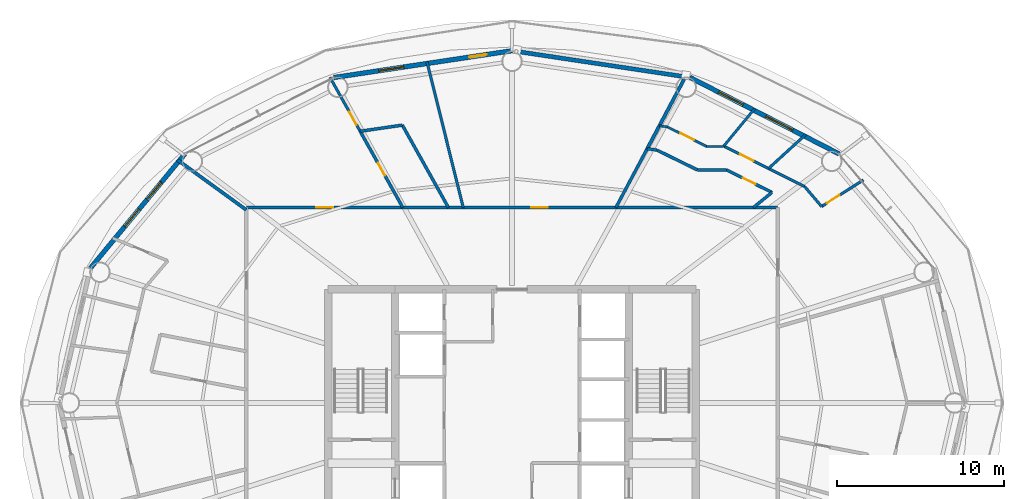
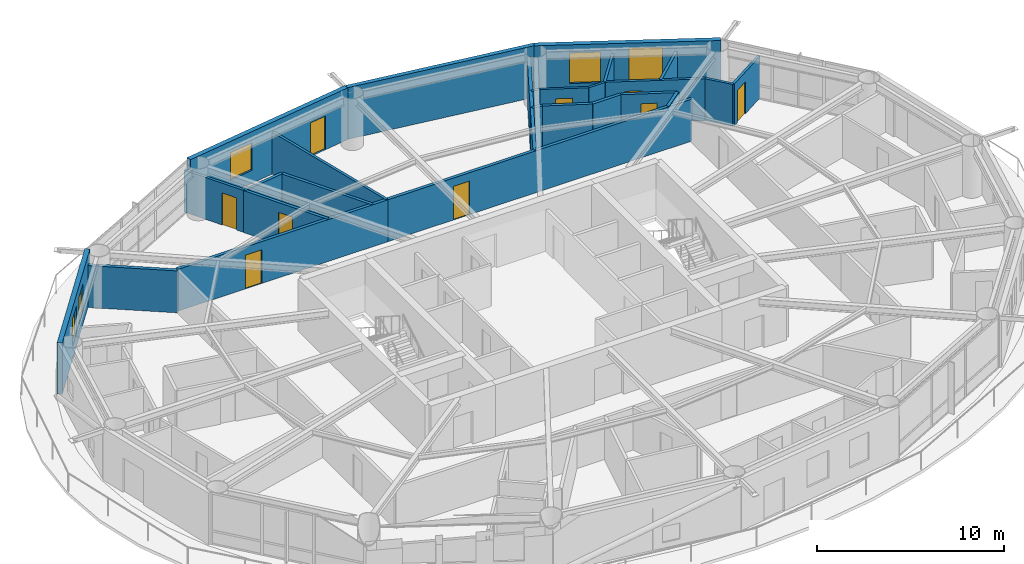
# One storey, part 24 of 28: 27 walls, 9 doors, 5 windows, 14 openings.
"""IFC4 building model written with IfcOpenShell, lengths in metres."""

from ifc_helpers import new_model, si_unit, direction, frame, frame_2d, origin, place, context, subcontext, project, spatial, rectangle, extrude, material, layer, layer_set, type_object, element, fill, save


model = new_model("IFC4")

# Units and contexts
model_context = context("Model", 3, precision=1e-05, world=origin(), true_north=direction((0.0, 1.0)))
body_context = subcontext(model_context, "Body", "Model", "MODEL_VIEW")
ifc_project = project(units=[si_unit("LENGTHUNIT", "METRE"), si_unit("AREAUNIT", "SQUARE_METRE"), si_unit("VOLUMEUNIT", "CUBIC_METRE"), si_unit("PLANEANGLEUNIT", "RADIAN"), si_unit("MASSUNIT", "GRAM", prefix="KILO")], contexts=[model_context])

# Site, building, storey
site_placement = place(None, origin())
site = spatial("IfcSite", under=ifc_project, at=site_placement, CompositionType="ELEMENT")
building_placement = place(site_placement, origin())
building = spatial("IfcBuilding", under=site, at=building_placement, Name="Sarneth Arch Tower", CompositionType="ELEMENT")
storey_placement = place(building_placement, frame((0.0, 0.0, 183.0)))
storey = spatial("IfcBuildingStorey", under=building, at=storey_placement, Name="L46", CompositionType="ELEMENT", Elevation=183.0)

# Wall, opening, door
ifc_material_1 = material(Name="Double steel-stud corridor fire wall", Category="steel")
ifc_layer_1 = layer(ifc_material_1, 0.18994140625)
ifc_layer_set_1 = layer_set([ifc_layer_1], Name="Double steel-stud corridor fire wall")
wall_type_1 = type_object("IfcWallType", Name="WALL-CORR-190", PredefinedType="PARTITIONING", material=ifc_layer_set_1)
wall_1_placement = place(storey_placement, frame((32.10009765625, 53.699951171875, 0.0), z_axis=(0.0, 0.0, 1.0), x_axis=(1.0, 0.0, 0.0)))
wall_1 = element("IfcWall", 1, at=wall_1_placement, inside=storey, type_object=wall_type_1, Name="L46 Interior partition W-L46-TP-006", PredefinedType="PARTITIONING", context=body_context, shape_type="SweptSolid", body=[
    extrude(rectangle(XDim=13.015869140625, YDim=0.18994140625, at=frame_2d((6.5078125, 0.0))), origin(), (0.0, 0.0, 1.0), 2.739990234375),
])
opening_1_placement = place(wall_1_placement, frame((4.198974609375, 0.0, 0.0)))
opening_1 = element("IfcOpeningElement", 2, at=opening_1_placement, cuts=wall_1, Name="Opening FD-08", PredefinedType="OPENING", context=body_context, shape_type="SweptSolid", body=[
    extrude(rectangle(XDim=1.0, YDim=2.199951171875, at=frame_2d((0.5, 1.10009765625))), frame((0.0, 0.10498046875, 0.0), z_axis=(0.0, -1.0, 0.0), x_axis=(1.0, 0.0, 0.0)), (0.0, 0.0, 1.0), 0.2099609375),
])
ifc_material_2 = material(Name="Hardwood timber acoustic fire door", Category="wood")
door_type_1 = type_object("IfcDoorType", Name="DR-FD60-1000", OperationType="SINGLE_SWING_LEFT", PredefinedType="DOOR", material=ifc_material_2)
door_1_placement = place(opening_1_placement, origin())
door_1 = element("IfcDoor", 3, at=door_1_placement, inside=storey, type_object=door_type_1, Name="L46 Interior door DR-L46-U3-ENT", OperationType="SINGLE_SWING_LEFT", OverallHeight=2.199951171875, OverallWidth=1.0, PredefinedType="DOOR", context=body_context, shape_type="SweptSolid", body=[
    extrude(rectangle(XDim=1.0, YDim=2.199951171875, at=frame_2d((0.5, 1.10009765625))), frame((0.0, 0.02490234375, 0.0), z_axis=(0.0, -1.0, 0.0), x_axis=(1.0, 0.0, 0.0)), (0.0, 0.0, 1.0), 0.050048828125),
])
fill(opening_1, door_1)

wall_2_placement = place(storey_placement, frame((45.0498046875, 53.699951171875, 0.0), z_axis=(0.0, 0.0, 1.0), x_axis=(1.0, 0.0, 0.0)))
wall_2 = element("IfcWall", 4, at=wall_2_placement, inside=storey, type_object=wall_type_1, Name="L46 Interior partition W-L46-TP-004", PredefinedType="PARTITIONING", context=body_context, shape_type="SweptSolid", body=[
    extrude(rectangle(XDim=18.85009765625, YDim=0.18994140625, at=frame_2d((9.425048828125, 0.0))), origin(), (0.0, 0.0, 1.0), 2.739990234375),
])
opening_2_placement = place(wall_2_placement, frame((4.103515625, 0.0, 0.0)))
opening_2 = element("IfcOpeningElement", 5, at=opening_2_placement, cuts=wall_2, Name="Opening FD-08", PredefinedType="OPENING", context=body_context, shape_type="SweptSolid", body=[
    extrude(rectangle(XDim=1.0, YDim=2.199951171875, at=frame_2d((0.5, 1.10009765625))), frame((0.0, 0.10498046875, 0.0), z_axis=(0.0, -1.0, 0.0), x_axis=(1.0, 0.0, 0.0)), (0.0, 0.0, 1.0), 0.2099609375),
])
door_2_placement = place(opening_2_placement, origin())
door_2 = element("IfcDoor", 6, at=door_2_placement, inside=storey, type_object=door_type_1, Name="L46 Interior door DR-L46-RAMN-02", OperationType="SINGLE_SWING_RIGHT", OverallHeight=2.199951171875, OverallWidth=1.0, PredefinedType="DOOR", context=body_context, shape_type="SweptSolid", body=[
    extrude(rectangle(XDim=1.0, YDim=2.199951171875, at=frame_2d((0.5, 1.10009765625))), frame((0.0, 0.02490234375, 0.0), z_axis=(0.0, -1.0, 0.0), x_axis=(1.0, 0.0, 0.0)), (0.0, 0.0, 1.0), 0.050048828125),
])
fill(opening_2, door_2)

# Wall
ifc_material_3 = material(Name="Extruded terracotta rainscreen on Concrete C40/50 backing", Category="masonry")
ifc_layer_2 = layer(ifc_material_3, 0.25)
ifc_layer_set_2 = layer_set([ifc_layer_2], Name="Extruded terracotta rainscreen on Concrete C40/50 backing")
wall_type_2 = type_object("IfcWallType", Name="WALL-EXT-SPAND-250", PredefinedType="SOLIDWALL", material=ifc_layer_set_2)
wall_3_placement = place(storey_placement, frame((58.662841796875, 61.475341796875, 0.0), z_axis=(0.0, 0.0, 1.0), x_axis=(-0.988863993413, 0.148822049884, 0.0)))
element("IfcWall", 7, at=wall_3_placement, inside=storey, type_object=wall_type_2, Name="L46 Terracotta perimeter wall 04", PredefinedType="SOLIDWALL", context=body_context, shape_type="SweptSolid", body=[
    extrude(rectangle(XDim=10.782958984375, YDim=0.25, at=frame_2d((5.3916015625, 0.0))), origin(), (0.0, 0.0, 1.0), 3.3798828125),
])

# Wall, openings, windows
ifc_material_4 = material(Name="Extruded terracotta rainscreen on Concrete C40/50 backing", Category="masonry")
ifc_layer_3 = layer(ifc_material_4, 0.280029296875)
ifc_layer_set_3 = layer_set([ifc_layer_3], Name="Extruded terracotta rainscreen on Concrete C40/50 backing")
wall_type_3 = type_object("IfcWallType", Name="WALL-EXT-TERRA-280", PredefinedType="SOLIDWALL", material=ifc_layer_set_3)
wall_4_placement = place(storey_placement, frame((67.576171875, 56.90576171875, 0.0), z_axis=(0.0, 0.0, 1.0), x_axis=(-0.889872523182, 0.456209263919, 0.0)))
wall_4 = element("IfcWall", 8, at=wall_4_placement, inside=storey, type_object=wall_type_3, Name="L46 Terracotta perimeter wall 03", PredefinedType="SOLIDWALL", context=body_context, shape_type="SweptSolid", body=[
    extrude(rectangle(XDim=10.016357421875, YDim=0.280029296875, at=frame_2d((5.00830078125, 0.0))), origin(), (0.0, 0.0, 1.0), 3.3798828125),
])
opening_3_placement = place(wall_4_placement, frame((3.12109375, 0.0, 0.85009765625)))
opening_3 = element("IfcOpeningElement", 9, at=opening_3_placement, cuts=wall_4, Name="Opening W-04", PredefinedType="OPENING", context=body_context, shape_type="SweptSolid", body=[
    extrude(rectangle(XDim=1.800048828125, YDim=2.199951171875, at=frame_2d((0.89990234375, 1.10009765625))), frame((0.0, 0.14990234375, 0.0), z_axis=(0.0, -1.0, 0.0), x_axis=(1.0, 0.0, 0.0)), (0.0, 0.0, 1.0), 0.300048828125),
])
opening_4_placement = place(wall_4_placement, frame((6.448486328125, 0.0, 0.85009765625)))
opening_4 = element("IfcOpeningElement", 10, at=opening_4_placement, cuts=wall_4, Name="Opening W-05", PredefinedType="OPENING", context=body_context, shape_type="SweptSolid", body=[
    extrude(rectangle(XDim=1.64990234375, YDim=2.0, at=frame_2d((0.824951171875, 1.0))), frame((0.0, 0.14990234375, 0.0), z_axis=(0.0, -1.0, 0.0), x_axis=(1.0, 0.0, 0.0)), (0.0, 0.0, 1.0), 0.300048828125),
])
ifc_material_5 = material(Name="Thermally broken Aluminium 6063-T6 and low-e laminated IGU", Category="aluminium")
window_type_1 = type_object("IfcWindowType", Name="WIN-TWR-1650x2000", PartitioningType="DOUBLE_PANEL_VERTICAL", PredefinedType="WINDOW", material=ifc_material_5)
window_1_placement = place(opening_4_placement, origin())
window_1 = element("IfcWindow", 11, at=window_1_placement, inside=storey, type_object=window_type_1, Name="L46 Exterior window 03B", OverallHeight=2.0, OverallWidth=1.64990234375, PartitioningType="SINGLE_PANEL", PredefinedType="WINDOW", context=body_context, shape_type="SweptSolid", body=[
    extrude(rectangle(XDim=1.64990234375, YDim=2.0, at=frame_2d((0.824951171875, 1.0))), frame((0.0, 0.030029296875, 0.0), z_axis=(0.0, -1.0, 0.0), x_axis=(1.0, 0.0, 0.0)), (0.0, 0.0, 1.0), 0.06005859375),
])
fill(opening_4, window_1)
ifc_material_6 = material(Name="Thermally broken Aluminium 6063-T6 and low-e laminated IGU", Category="aluminium")
window_type_2 = type_object("IfcWindowType", Name="WIN-TWR-1800x2200", PartitioningType="DOUBLE_PANEL_VERTICAL", PredefinedType="WINDOW", material=ifc_material_6)
window_2_placement = place(opening_3_placement, origin())
window_2 = element("IfcWindow", 12, at=window_2_placement, inside=storey, type_object=window_type_2, Name="L46 Exterior window 03A", OverallHeight=2.199951171875, OverallWidth=1.800048828125, PartitioningType="SINGLE_PANEL", PredefinedType="WINDOW", context=body_context, shape_type="SweptSolid", body=[
    extrude(rectangle(XDim=1.800048828125, YDim=2.199951171875, at=frame_2d((0.89990234375, 1.10009765625))), frame((0.0, 0.030029296875, 0.0), z_axis=(0.0, -1.0, 0.0), x_axis=(1.0, 0.0, 0.0)), (0.0, 0.0, 1.0), 0.06005859375),
])
fill(opening_3, window_2)

# Wall, openings, door, window
wall_5_placement = place(storey_placement, frame((48.0, 63.080078125, 0.0), z_axis=(0.0, 0.0, 1.0), x_axis=(-0.988863993413, -0.148822049884, 0.0)))
wall_5 = element("IfcWall", 13, at=wall_5_placement, inside=storey, type_object=wall_type_3, Name="L46 Terracotta perimeter wall 05", PredefinedType="SOLIDWALL", context=body_context, shape_type="SweptSolid", body=[
    extrude(rectangle(XDim=10.782958984375, YDim=0.280029296875, at=frame_2d((5.3916015625, 0.0))), origin(), (0.0, 0.0, 1.0), 3.3798828125),
])
opening_5_placement = place(wall_5_placement, frame((1.523681640625, 0.0, 0.0)))
opening_5 = element("IfcOpeningElement", 14, at=opening_5_placement, cuts=wall_5, Name="Opening BD-4", PredefinedType="OPENING", context=body_context, shape_type="SweptSolid", body=[
    extrude(rectangle(XDim=1.050048828125, YDim=2.199951171875, at=frame_2d((0.52490234375, 1.10009765625))), frame((0.0, 0.14990234375, 0.0), z_axis=(0.0, -1.0, 0.0), x_axis=(1.0, 0.0, 0.0)), (0.0, 0.0, 1.0), 0.300048828125),
])
opening_6_placement = place(wall_5_placement, frame((6.5576171875, 0.0, 0.85009765625)))
opening_6 = element("IfcOpeningElement", 15, at=opening_6_placement, cuts=wall_5, Name="Opening W-07", PredefinedType="OPENING", context=body_context, shape_type="SweptSolid", body=[
    extrude(rectangle(XDim=1.5, YDim=1.800048828125, at=frame_2d((0.75, 0.89990234375))), frame((0.0, 0.14990234375, 0.0), z_axis=(0.0, -1.0, 0.0), x_axis=(1.0, 0.0, 0.0)), (0.0, 0.0, 1.0), 0.300048828125),
])
ifc_material_7 = material(Name="Thermally broken Aluminium 6063-T6 and laminated safety glass", Category="aluminium")
door_type_2 = type_object("IfcDoorType", Name="DR-BALC-GLZ-1050", OperationType="SINGLE_SWING_RIGHT", PredefinedType="DOOR", material=ifc_material_7)
door_3_placement = place(opening_5_placement, origin())
door_3 = element("IfcDoor", 16, at=door_3_placement, inside=storey, type_object=door_type_2, Name="L46 Balcony glazed door 05", OperationType="SINGLE_SWING_RIGHT", OverallHeight=2.199951171875, OverallWidth=1.050048828125, PredefinedType="DOOR", context=body_context, shape_type="SweptSolid", body=[
    extrude(rectangle(XDim=1.050048828125, YDim=2.199951171875, at=frame_2d((0.52490234375, 1.10009765625))), frame((0.0, 0.02490234375, 0.0), z_axis=(0.0, -1.0, 0.0), x_axis=(1.0, 0.0, 0.0)), (0.0, 0.0, 1.0), 0.050048828125),
])
fill(opening_5, door_3)
ifc_material_8 = material(Name="Thermally broken Aluminium 6063-T6 and low-e laminated IGU", Category="aluminium")
window_type_3 = type_object("IfcWindowType", Name="WIN-TWR-1500x1800", PartitioningType="SINGLE_PANEL", PredefinedType="WINDOW", material=ifc_material_8)
window_3_placement = place(opening_6_placement, origin())
window_3 = element("IfcWindow", 17, at=window_3_placement, inside=storey, type_object=window_type_3, Name="L46 Exterior window 05A", OverallHeight=1.800048828125, OverallWidth=1.5, PartitioningType="SINGLE_PANEL", PredefinedType="WINDOW", context=body_context, shape_type="SweptSolid", body=[
    extrude(rectangle(XDim=1.5, YDim=1.800048828125, at=frame_2d((0.75, 0.89990234375))), frame((0.0, 0.030029296875, 0.0), z_axis=(0.0, -1.0, 0.0), x_axis=(1.0, 0.0, 0.0)), (0.0, 0.0, 1.0), 0.06005859375),
])
fill(opening_6, window_3)

# Wall, openings, windows
wall_6_placement = place(storey_placement, frame((28.423828125, 56.90576171875, 0.0), z_axis=(0.0, 0.0, 1.0), x_axis=(-0.637333477683, -0.770588111915, 0.0)))
wall_6 = element("IfcWall", 18, at=wall_6_placement, inside=storey, type_object=wall_type_3, Name="L46 Terracotta perimeter wall 07", PredefinedType="SOLIDWALL", context=body_context, shape_type="SweptSolid", body=[
    extrude(rectangle(XDim=8.874755859375, YDim=0.280029296875, at=frame_2d((4.4375, 0.0))), origin(), (0.0, 0.0, 1.0), 3.3798828125),
])
opening_7_placement = place(wall_6_placement, frame((2.202392578125, 0.0, 0.85009765625)))
opening_7 = element("IfcOpeningElement", 19, at=opening_7_placement, cuts=wall_6, Name="Opening W-08", PredefinedType="OPENING", context=body_context, shape_type="SweptSolid", body=[
    extrude(rectangle(XDim=1.35009765625, YDim=1.800048828125, at=frame_2d((0.675048828125, 0.89990234375))), frame((0.0, 0.14990234375, 0.0), z_axis=(0.0, -1.0, 0.0), x_axis=(1.0, 0.0, 0.0)), (0.0, 0.0, 1.0), 0.300048828125),
])
opening_8_placement = place(wall_6_placement, frame((4.293701171875, 0.0, 0.85009765625)))
opening_8 = element("IfcOpeningElement", 20, at=opening_8_placement, cuts=wall_6, Name="Opening W-08", PredefinedType="OPENING", context=body_context, shape_type="SweptSolid", body=[
    extrude(rectangle(XDim=1.35009765625, YDim=1.800048828125, at=frame_2d((0.675048828125, 0.89990234375))), frame((0.0, 0.14990234375, 0.0), z_axis=(0.0, -1.0, 0.0), x_axis=(1.0, 0.0, 0.0)), (0.0, 0.0, 1.0), 0.300048828125),
])
ifc_material_9 = material(Name="Thermally broken Aluminium 6063-T6 and low-e laminated IGU", Category="aluminium")
window_type_4 = type_object("IfcWindowType", Name="WIN-TWR-1350x1800", PartitioningType="SINGLE_PANEL", PredefinedType="WINDOW", material=ifc_material_9)
window_4_placement = place(opening_7_placement, origin())
window_4 = element("IfcWindow", 21, at=window_4_placement, inside=storey, type_object=window_type_4, Name="L46 Exterior window 07A", OverallHeight=1.800048828125, OverallWidth=1.35009765625, PartitioningType="SINGLE_PANEL", PredefinedType="WINDOW", context=body_context, shape_type="SweptSolid", body=[
    extrude(rectangle(XDim=1.35009765625, YDim=1.800048828125, at=frame_2d((0.675048828125, 0.89990234375))), frame((0.0, 0.030029296875, 0.0), z_axis=(0.0, -1.0, 0.0), x_axis=(1.0, 0.0, 0.0)), (0.0, 0.0, 1.0), 0.06005859375),
])
fill(opening_7, window_4)
window_5_placement = place(opening_8_placement, origin())
window_5 = element("IfcWindow", 22, at=window_5_placement, inside=storey, type_object=window_type_4, Name="L46 Exterior window 07B", OverallHeight=1.800048828125, OverallWidth=1.35009765625, PartitioningType="SINGLE_PANEL", PredefinedType="WINDOW", context=body_context, shape_type="SweptSolid", body=[
    extrude(rectangle(XDim=1.35009765625, YDim=1.800048828125, at=frame_2d((0.675048828125, 0.89990234375))), frame((0.0, 0.030029296875, 0.0), z_axis=(0.0, -1.0, 0.0), x_axis=(1.0, 0.0, 0.0)), (0.0, 0.0, 1.0), 0.06005859375),
])
fill(opening_8, window_5)

# Wall, opening, door
ifc_material_10 = material(Name="Apartment internal stud partition", Category="gypsum")
ifc_layer_4 = layer(ifc_material_10, 0.139892578125)
ifc_layer_set_4 = layer_set([ifc_layer_4], Name="Apartment internal stud partition")
wall_type_4 = type_object("IfcWallType", Name="WALL-PART-140", PredefinedType="PARTITIONING", material=ifc_layer_set_4)
wall_7_placement = place(storey_placement, frame((59.651123046875, 57.35009765625, 0.0), z_axis=(0.0, 0.0, 1.0), x_axis=(-0.895041110332, 0.445983644112, 0.0)))
wall_7 = element("IfcWall", 23, at=wall_7_placement, inside=storey, type_object=wall_type_4, Name="L46 Interior partition W-L46-TP-032", PredefinedType="PARTITIONING", context=body_context, shape_type="SweptSolid", body=[
    extrude(rectangle(XDim=2.62109375, YDim=0.139892578125, at=frame_2d((1.310546875, 0.0))), origin(), (0.0, 0.0, 1.0), 2.739990234375),
])
opening_9_placement = place(wall_7_placement, frame((0.860595703125, 0.0, 0.0)))
opening_9 = element("IfcOpeningElement", 24, at=opening_9_placement, cuts=wall_7, Name="Opening ID-01", PredefinedType="OPENING", context=body_context, shape_type="SweptSolid", body=[
    extrude(rectangle(XDim=0.89990234375, YDim=2.10009765625, at=frame_2d((0.449951171875, 1.050048828125))), frame((0.0, 0.079833984375, 0.0), z_axis=(0.0, -1.0, 0.0), x_axis=(1.0, 0.0, 0.0)), (0.0, 0.0, 1.0), 0.159912109375),
])
ifc_material_11 = material(Name="Engineered hardwood flush door", Category="wood")
door_type_3 = type_object("IfcDoorType", Name="DR-INT-900", OperationType="SINGLE_SWING_LEFT", PredefinedType="DOOR", material=ifc_material_11)
door_4_placement = place(opening_9_placement, origin())
door_4 = element("IfcDoor", 25, at=door_4_placement, inside=storey, type_object=door_type_3, Name="L46 Interior door DR-L46-U1-BED2", OperationType="SINGLE_SWING_LEFT", OverallHeight=2.10009765625, OverallWidth=0.89990234375, PredefinedType="DOOR", context=body_context, shape_type="SweptSolid", body=[
    extrude(rectangle(XDim=0.89990234375, YDim=2.10009765625, at=frame_2d((0.449951171875, 1.050048828125))), frame((0.0, 0.02490234375, 0.0), z_axis=(0.0, -1.0, 0.0), x_axis=(1.0, 0.0, 0.0)), (0.0, 0.0, 1.0), 0.050048828125),
])
fill(opening_9, door_4)

# Walls
wall_8_placement = place(storey_placement, frame((60.653564453125, 57.35009765625, 0.0), z_axis=(0.0, 0.0, 1.0), x_axis=(-1.0, 0.0, 0.0)))
element("IfcWall", 26, at=wall_8_placement, inside=storey, type_object=wall_type_4, Name="L46 Interior partition W-L46-TP-031", PredefinedType="PARTITIONING", context=body_context, shape_type="SweptSolid", body=[
    extrude(rectangle(XDim=1.00244140625, YDim=0.139892578125, at=frame_2d((0.501220703125, 0.0))), origin(), (0.0, 0.0, 1.0), 2.739990234375),
])
wall_9_placement = place(storey_placement, frame((57.30517578125, 58.51904296875, 0.0), z_axis=(0.0, 0.0, 1.0), x_axis=(-0.989485449351, 0.144632449754, 0.0)))
element("IfcWall", 27, at=wall_9_placement, inside=storey, type_object=wall_type_4, Name="L46 Interior partition W-L46-TP-033", PredefinedType="PARTITIONING", context=body_context, shape_type="SweptSolid", body=[
    extrude(rectangle(XDim=0.489501953125, YDim=0.139892578125, at=frame_2d((0.24462890625, 0.0))), origin(), (0.0, 0.0, 1.0), 2.739990234375),
])
ifc_material_12 = material(Name="Acoustic gypsum stud partition", Category="gypsum")
ifc_layer_5 = layer(ifc_material_12, 0.14990234375)
ifc_layer_set_5 = layer_set([ifc_layer_5], Name="Acoustic gypsum stud partition")
wall_type_5 = type_object("IfcWallType", Name="WALL-PART-150", PredefinedType="PARTITIONING", material=ifc_layer_set_5)
wall_10_placement = place(storey_placement, frame((62.52880859375, 59.625, 0.0), z_axis=(0.0, 0.0, 1.0), x_axis=(-0.63607001361, -0.771631348369, 0.0)))
element("IfcWall", 28, at=wall_10_placement, inside=storey, type_object=wall_type_5, Name="L46 Interior partition W-L46-TP-039", PredefinedType="PARTITIONING", context=body_context, shape_type="SweptSolid", body=[
    extrude(rectangle(XDim=2.9482421875, YDim=0.14990234375, at=frame_2d((1.47412109375, 0.0))), origin(), (0.0, 0.0, 1.0), 2.739990234375),
])
ifc_material_13 = material(Name="Kitchen wet service chase wall", Category="gypsum")
ifc_layer_6 = layer(ifc_material_13, 0.159912109375)
ifc_layer_set_6 = layer_set([ifc_layer_6], Name="Kitchen wet service chase wall")
wall_type_6 = type_object("IfcWallType", Name="WALL-PLUMB-160", PredefinedType="PLUMBINGWALL", material=ifc_layer_set_6)
wall_11_placement = place(storey_placement, frame((45.0830078125, 53.699951171875, 0.0), z_axis=(0.0, 0.0, 1.0), x_axis=(-0.241929318505, 0.970293875508, 0.0)))
element("IfcWall", 29, at=wall_11_placement, inside=storey, type_object=wall_type_6, Name="L46 Interior partition W-L46-TP-041", PredefinedType="PLUMBINGWALL", context=body_context, shape_type="SweptSolid", body=[
    extrude(rectangle(XDim=9.00146484375, YDim=0.159912109375, at=frame_2d((4.500732421875, 0.0))), origin(), (0.0, 0.0, 1.0), 2.739990234375),
])

# Wall, opening, door
wall_12_placement = place(storey_placement, frame((38.912841796875, 58.259521484375, 0.0), z_axis=(0.0, 0.0, 1.0), x_axis=(-0.487830223896, 0.87293852742, 0.0)))
wall_12 = element("IfcWall", 30, at=wall_12_placement, inside=storey, type_object=wall_type_6, Name="L46 Interior partition W-L46-TP-043", PredefinedType="PLUMBINGWALL", context=body_context, shape_type="SweptSolid", body=[
    extrude(rectangle(XDim=3.702880859375, YDim=0.159912109375, at=frame_2d((1.8515625, 0.0))), origin(), (0.0, 0.0, 1.0), 2.739990234375),
])
opening_10_placement = place(wall_12_placement, frame((0.44140625, 0.0, 0.0)))
opening_10 = element("IfcOpeningElement", 31, at=opening_10_placement, cuts=wall_12, Name="Opening ID-01", PredefinedType="OPENING", context=body_context, shape_type="SweptSolid", body=[
    extrude(rectangle(XDim=0.89990234375, YDim=2.10009765625, at=frame_2d((0.449951171875, 1.050048828125))), frame((0.0, 0.08984375, 0.0), z_axis=(0.0, -1.0, 0.0), x_axis=(1.0, 0.0, 0.0)), (0.0, 0.0, 1.0), 0.179931640625),
])
door_5_placement = place(opening_10_placement, origin())
door_5 = element("IfcDoor", 32, at=door_5_placement, inside=storey, type_object=door_type_3, Name="L46 Interior door DR-L46-U3-KIT", OperationType="SINGLE_SWING_LEFT", OverallHeight=2.10009765625, OverallWidth=0.89990234375, PredefinedType="DOOR", context=body_context, shape_type="SweptSolid", body=[
    extrude(rectangle(XDim=0.89990234375, YDim=2.10009765625, at=frame_2d((0.449951171875, 1.050048828125))), frame((0.0, 0.02490234375, 0.0), z_axis=(0.0, -1.0, 0.0), x_axis=(1.0, 0.0, 0.0)), (0.0, 0.0, 1.0), 0.050048828125),
])
fill(opening_10, door_5)

# Wall
wall_13_placement = place(storey_placement, frame((63.3544921875, 56.033203125, 0.0), z_axis=(0.0, 0.0, 1.0), x_axis=(0.738168713693, 0.674616150211, 0.0)))
element("IfcWall", 33, at=wall_13_placement, inside=storey, type_object=wall_type_6, Name="L46 Interior partition W-L46-TP-037", PredefinedType="PLUMBINGWALL", context=body_context, shape_type="SweptSolid", body=[
    extrude(rectangle(XDim=3.004150390625, YDim=0.159912109375, at=frame_2d((1.501953125, 0.0))), origin(), (0.0, 0.0, 1.0), 2.739990234375),
])

# Wall, opening, door
wall_14_placement = place(storey_placement, frame((60.71337890625, 57.35009765625, 0.0), z_axis=(0.0, 0.0, 1.0), x_axis=(0.894937323042, -0.44619187333, 0.0)))
wall_14 = element("IfcWall", 34, at=wall_14_placement, inside=storey, type_object=wall_type_6, Name="L46 Interior partition W-L46-TP-030", PredefinedType="PLUMBINGWALL", context=body_context, shape_type="SweptSolid", body=[
    extrude(rectangle(XDim=5.35400390625, YDim=0.159912109375, at=frame_2d((2.677001953125, 0.0))), origin(), (0.0, 0.0, 1.0), 2.739990234375),
])
opening_11_placement = place(wall_14_placement, frame((1.042724609375, 0.0, 0.0)))
opening_11 = element("IfcOpeningElement", 35, at=opening_11_placement, cuts=wall_14, Name="Opening ID-01", PredefinedType="OPENING", context=body_context, shape_type="SweptSolid", body=[
    extrude(rectangle(XDim=0.89990234375, YDim=2.10009765625, at=frame_2d((0.449951171875, 1.050048828125))), frame((0.0, 0.08984375, 0.0), z_axis=(0.0, -1.0, 0.0), x_axis=(1.0, 0.0, 0.0)), (0.0, 0.0, 1.0), 0.179931640625),
])
door_6_placement = place(opening_11_placement, origin())
door_6 = element("IfcDoor", 36, at=door_6_placement, inside=storey, type_object=door_type_3, Name="L46 Interior door DR-L46-U1-BED1", OperationType="SINGLE_SWING_RIGHT", OverallHeight=2.10009765625, OverallWidth=0.89990234375, PredefinedType="DOOR", context=body_context, shape_type="SweptSolid", body=[
    extrude(rectangle(XDim=0.89990234375, YDim=2.10009765625, at=frame_2d((0.449951171875, 1.050048828125))), frame((0.0, 0.02490234375, 0.0), z_axis=(0.0, -1.0, 0.0), x_axis=(1.0, 0.0, 0.0)), (0.0, 0.0, 1.0), 0.050048828125),
])
fill(opening_11, door_6)

wall_15_placement = place(storey_placement, frame((69.025634765625, 55.340087890625, 0.0), z_axis=(0.0, 0.0, 1.0), x_axis=(-0.844378276983, -0.5357474455, 0.0)))
wall_15 = element("IfcWall", 37, at=wall_15_placement, inside=storey, type_object=wall_type_6, Name="L46 Interior partition W-L46-TP-022", PredefinedType="PLUMBINGWALL", context=body_context, shape_type="SweptSolid", body=[
    extrude(rectangle(XDim=2.9560546875, YDim=0.159912109375, at=frame_2d((1.47802734375, 0.0))), origin(), (0.0, 0.0, 1.0), 2.739990234375),
])
opening_12_placement = place(wall_15_placement, frame((1.68798828125, 0.0, 0.0)))
opening_12 = element("IfcOpeningElement", 38, at=opening_12_placement, cuts=wall_15, Name="Opening ID-01", PredefinedType="OPENING", context=body_context, shape_type="SweptSolid", body=[
    extrude(rectangle(XDim=0.89990234375, YDim=2.10009765625, at=frame_2d((0.449951171875, 1.050048828125))), frame((0.0, 0.08984375, 0.0), z_axis=(0.0, -1.0, 0.0), x_axis=(1.0, 0.0, 0.0)), (0.0, 0.0, 1.0), 0.179931640625),
])
door_7_placement = place(opening_12_placement, origin())
door_7 = element("IfcDoor", 39, at=door_7_placement, inside=storey, type_object=door_type_3, Name="L46 Interior door DR-L46-U1-KIT", OperationType="SINGLE_SWING_RIGHT", OverallHeight=2.10009765625, OverallWidth=0.89990234375, PredefinedType="DOOR", context=body_context, shape_type="SweptSolid", body=[
    extrude(rectangle(XDim=0.89990234375, YDim=2.10009765625, at=frame_2d((0.449951171875, 1.050048828125))), frame((0.0, 0.02490234375, 0.0), z_axis=(0.0, -1.0, 0.0), x_axis=(1.0, 0.0, 0.0)), (0.0, 0.0, 1.0), 0.050048828125),
])
fill(opening_12, door_7)

# Walls
wall_16_placement = place(storey_placement, frame((66.529541015625, 53.75634765625, 0.0), z_axis=(0.0, 0.0, 1.0), x_axis=(-0.647850029113, 0.76176790414, 0.0)))
element("IfcWall", 40, at=wall_16_placement, inside=storey, type_object=wall_type_6, Name="L46 Interior partition W-L46-TP-023", PredefinedType="PLUMBINGWALL", context=body_context, shape_type="SweptSolid", body=[
    extrude(rectangle(XDim=1.58154296875, YDim=0.159912109375, at=frame_2d((0.790771484375, 0.0))), origin(), (0.0, 0.0, 1.0), 2.739990234375),
])
ifc_material_14 = material(Name="Moisture-resistant plumbing chase wall", Category="gypsum")
ifc_layer_7 = layer(ifc_material_14, 0.179931640625)
ifc_layer_set_7 = layer_set([ifc_layer_7], Name="Moisture-resistant plumbing chase wall")
wall_type_7 = type_object("IfcWallType", Name="WALL-PLUMB-180", PredefinedType="PLUMBINGWALL", material=ifc_layer_set_7)
wall_17_placement = place(storey_placement, frame((41.438720703125, 58.626708984375, 0.0), z_axis=(0.0, 0.0, 1.0), x_axis=(0.487819418615, -0.872944565721, 0.0)))
element("IfcWall", 41, at=wall_17_placement, inside=storey, type_object=wall_type_7, Name="L46 Interior partition W-L46-TP-046", PredefinedType="PLUMBINGWALL", context=body_context, shape_type="SweptSolid", body=[
    extrude(rectangle(XDim=5.643798828125, YDim=0.179931640625, at=frame_2d((2.82177734375, 0.0))), origin(), (0.0, 0.0, 1.0), 2.739990234375),
])

# Wall, opening, door
wall_18_placement = place(storey_placement, frame((41.461181640625, 53.699951171875, 0.0), z_axis=(0.0, 0.0, 1.0), x_axis=(-0.487871640049, 0.872915381257, 0.0)))
wall_18 = element("IfcWall", 42, at=wall_18_placement, inside=storey, type_object=wall_type_7, Name="L46 Interior partition W-L46-TP-042", PredefinedType="PLUMBINGWALL", context=body_context, shape_type="SweptSolid", body=[
    extrude(rectangle(XDim=5.223388671875, YDim=0.179931640625, at=frame_2d((2.61181640625, 0.0))), origin(), (0.0, 0.0, 1.0), 2.739990234375),
])
opening_13_placement = place(wall_18_placement, frame((2.186767578125, 0.0, 0.0)))
opening_13 = element("IfcOpeningElement", 43, at=opening_13_placement, cuts=wall_18, Name="Opening ID-02", PredefinedType="OPENING", context=body_context, shape_type="SweptSolid", body=[
    extrude(rectangle(XDim=0.85009765625, YDim=2.10009765625, at=frame_2d((0.425048828125, 1.050048828125))), frame((0.0, 0.099853515625, 0.0), z_axis=(0.0, -1.0, 0.0), x_axis=(1.0, 0.0, 0.0)), (0.0, 0.0, 1.0), 0.199951171875),
])
ifc_material_15 = material(Name="Moisture-resistant bathroom timber door", Category="wood")
door_type_4 = type_object("IfcDoorType", Name="DR-INT-850", OperationType="SINGLE_SWING_RIGHT", PredefinedType="DOOR", material=ifc_material_15)
door_8_placement = place(opening_13_placement, origin())
door_8 = element("IfcDoor", 44, at=door_8_placement, inside=storey, type_object=door_type_4, Name="L46 Interior door DR-L46-U3-BATH", OperationType="SINGLE_SWING_RIGHT", OverallHeight=2.10009765625, OverallWidth=0.85009765625, PredefinedType="DOOR", context=body_context, shape_type="SweptSolid", body=[
    extrude(rectangle(XDim=0.85009765625, YDim=2.10009765625, at=frame_2d((0.425048828125, 1.050048828125))), frame((0.0, 0.02490234375, 0.0), z_axis=(0.0, -1.0, 0.0), x_axis=(1.0, 0.0, 0.0)), (0.0, 0.0, 1.0), 0.050048828125),
])
fill(opening_13, door_8)

# Wall
wall_19_placement = place(storey_placement, frame((54.220947265625, 53.699951171875, 0.0), z_axis=(0.0, 0.0, 1.0), x_axis=(0.469480828888, 0.882942665922, 0.0)))
element("IfcWall", 45, at=wall_19_placement, inside=storey, type_object=wall_type_7, Name="L46 Interior partition W-L46-TP-038", PredefinedType="PLUMBINGWALL", context=body_context, shape_type="SweptSolid", body=[
    extrude(rectangle(XDim=3.9833984375, YDim=0.179931640625, at=frame_2d((1.99169921875, 0.0))), origin(), (0.0, 0.0, 1.0), 2.739990234375),
])

# Wall, opening, door
wall_20_placement = place(storey_placement, frame((60.826904296875, 55.949951171875, 0.0), z_axis=(0.0, 0.0, 1.0), x_axis=(0.897069141595, -0.441890207175, 0.0)))
wall_20 = element("IfcWall", 46, at=wall_20_placement, inside=storey, type_object=wall_type_7, Name="L46 Interior partition W-L46-TP-028", PredefinedType="PLUMBINGWALL", context=body_context, shape_type="SweptSolid", body=[
    extrude(rectangle(XDim=3.0498046875, YDim=0.179931640625, at=frame_2d((1.52490234375, 0.0))), origin(), (0.0, 0.0, 1.0), 2.739990234375),
])
opening_14_placement = place(wall_20_placement, frame((1.099853515625, 0.0, 0.0)))
opening_14 = element("IfcOpeningElement", 47, at=opening_14_placement, cuts=wall_20, Name="Opening ID-02", PredefinedType="OPENING", context=body_context, shape_type="SweptSolid", body=[
    extrude(rectangle(XDim=0.85009765625, YDim=2.10009765625, at=frame_2d((0.425048828125, 1.050048828125))), frame((0.0, 0.099853515625, 0.0), z_axis=(0.0, -1.0, 0.0), x_axis=(1.0, 0.0, 0.0)), (0.0, 0.0, 1.0), 0.199951171875),
])
door_9_placement = place(opening_14_placement, origin())
door_9 = element("IfcDoor", 48, at=door_9_placement, inside=storey, type_object=door_type_4, Name="L46 Interior door DR-L46-U1-BATH", OperationType="SINGLE_SWING_LEFT", OverallHeight=2.10009765625, OverallWidth=0.85009765625, PredefinedType="DOOR", context=body_context, shape_type="SweptSolid", body=[
    extrude(rectangle(XDim=0.85009765625, YDim=2.10009765625, at=frame_2d((0.425048828125, 1.050048828125))), frame((0.0, 0.02490234375, 0.0), z_axis=(0.0, -1.0, 0.0), x_axis=(1.0, 0.0, 0.0)), (0.0, 0.0, 1.0), 0.050048828125),
])
fill(opening_14, door_9)

# Walls
wall_21_placement = place(storey_placement, frame((56.674072265625, 57.13330078125, 0.0), z_axis=(0.0, 0.0, 1.0), x_axis=(0.898063439596, -0.439865955105, 0.0)))
element("IfcWall", 49, at=wall_21_placement, inside=storey, type_object=wall_type_7, Name="L46 Interior partition W-L46-TP-026", PredefinedType="PLUMBINGWALL", context=body_context, shape_type="SweptSolid", body=[
    extrude(rectangle(XDim=2.690185546875, YDim=0.179931640625, at=frame_2d((1.34521484375, 0.0))), origin(), (0.0, 0.0, 1.0), 2.739990234375),
])
wall_22_placement = place(storey_placement, frame((38.912841796875, 58.259521484375, 0.0), z_axis=(0.0, 0.0, 1.0), x_axis=(0.989598326399, 0.143858098096, 0.0)))
element("IfcWall", 50, at=wall_22_placement, inside=storey, type_object=wall_type_7, Name="L46 Interior partition W-L46-TP-045", PredefinedType="PLUMBINGWALL", context=body_context, shape_type="SweptSolid", body=[
    extrude(rectangle(XDim=2.552490234375, YDim=0.179931640625, at=frame_2d((1.2763671875, 0.0))), origin(), (0.0, 0.0, 1.0), 2.739990234375),
])
wall_23_placement = place(storey_placement, frame((59.090087890625, 55.949951171875, 0.0), z_axis=(0.0, 0.0, 1.0), x_axis=(1.0, 0.0, 0.0)))
element("IfcWall", 51, at=wall_23_placement, inside=storey, type_object=wall_type_7, Name="L46 Interior partition W-L46-TP-027", PredefinedType="PLUMBINGWALL", context=body_context, shape_type="SweptSolid", body=[
    extrude(rectangle(XDim=1.73681640625, YDim=0.179931640625, at=frame_2d((0.868408203125, 0.0))), origin(), (0.0, 0.0, 1.0), 2.739990234375),
])
wall_24_placement = place(storey_placement, frame((63.562744140625, 54.602294921875, 0.0), z_axis=(0.0, 0.0, 1.0), x_axis=(-0.777201256293, -0.62925210148, 0.0)))
element("IfcWall", 52, at=wall_24_placement, inside=storey, type_object=wall_type_7, Name="L46 Interior partition W-L46-TP-029", PredefinedType="PLUMBINGWALL", context=body_context, shape_type="SweptSolid", body=[
    extrude(rectangle(XDim=1.43408203125, YDim=0.179931640625, at=frame_2d((0.717041015625, 0.0))), origin(), (0.0, 0.0, 1.0), 2.739990234375),
])
wall_25_placement = place(storey_placement, frame((56.091064453125, 57.217041015625, 0.0), z_axis=(0.0, 0.0, 1.0), x_axis=(0.989841434531, -0.142175716936, 0.0)))
element("IfcWall", 53, at=wall_25_placement, inside=storey, type_object=wall_type_7, Name="L46 Interior partition W-L46-TP-025", PredefinedType="PLUMBINGWALL", context=body_context, shape_type="SweptSolid", body=[
    extrude(rectangle(XDim=0.589111328125, YDim=0.179931640625, at=frame_2d((0.29443359375, 0.0))), origin(), (0.0, 0.0, 1.0), 2.739990234375),
])
ifc_material_16 = material(Name="Double steel-stud acoustic drywall", Category="steel")
ifc_layer_8 = layer(ifc_material_16, 0.199951171875)
ifc_layer_set_8 = layer_set([ifc_layer_8], Name="Double steel-stud acoustic drywall")
wall_type_8 = type_object("IfcWallType", Name="WALL-UNIT-200", PredefinedType="PARTITIONING", material=ifc_layer_set_8)
wall_26_placement = place(storey_placement, frame((32.10009765625, 53.552001953125, 0.0), z_axis=(0.0, 0.0, 1.0), x_axis=(-0.809023715391, 0.587776001496, 0.0)))
element("IfcWall", 54, at=wall_26_placement, inside=storey, type_object=wall_type_8, Name="L46 Interior partition W-L46-TP-044", PredefinedType="PARTITIONING", context=body_context, shape_type="SweptSolid", body=[
    extrude(rectangle(XDim=5.100341796875, YDim=0.199951171875, at=frame_2d((2.55029296875, 0.0))), origin(), (0.0, 0.0, 1.0), 2.739990234375),
])
wall_27_placement = place(storey_placement, frame((56.091064453125, 57.217041015625, 0.0), z_axis=(0.0, 0.0, 1.0), x_axis=(0.469455598571, 0.882956080997, 0.0)))
element("IfcWall", 55, at=wall_27_placement, inside=storey, type_object=wall_type_8, Name="L46 Interior partition W-L46-TP-040", PredefinedType="PARTITIONING", context=body_context, shape_type="SweptSolid", body=[
    extrude(rectangle(XDim=4.991455078125, YDim=0.199951171875, at=frame_2d((2.49560546875, 0.0))), origin(), (0.0, 0.0, 1.0), 2.739990234375),
])

save(model, "model.ifc")
